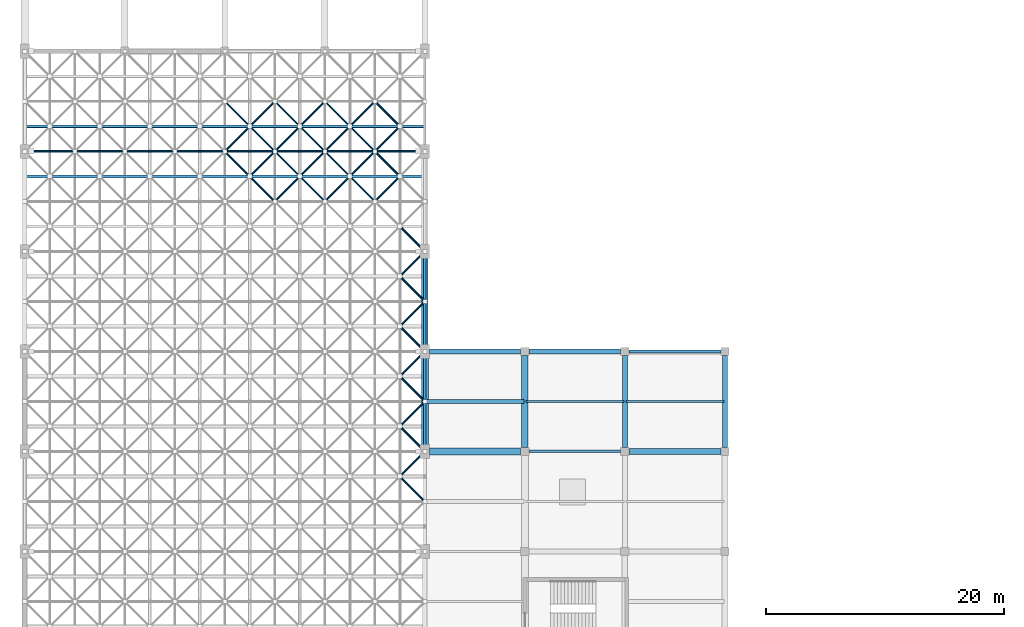
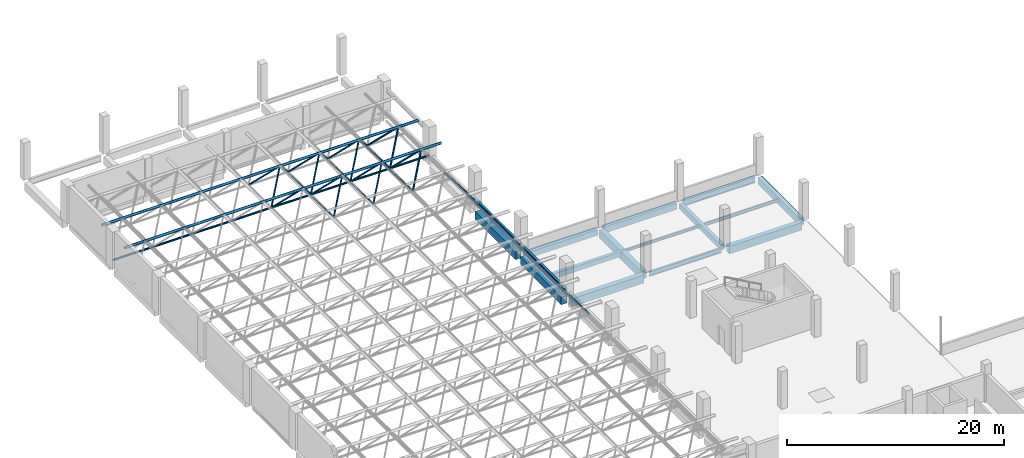
# One storey, part 30 of 64: 41 members, 16 beams.
"""IFC4 building model written with IfcOpenShell, lengths in metres."""

from ifc_helpers import new_model, si_unit, derived_unit, direction, frame, origin, origin_2d, place, context, subcontext, project, spatial, rectangle, hollow_circle, i_section, extrude, material, material_profile, profile_set, type_object, element, save


model = new_model("IFC4")

# Units and contexts
model_context = context("Model", 3, precision=1e-05, world=origin(), true_north=direction((0.0, 1.0)))
body_context = subcontext(model_context, "Body", "Model", "MODEL_VIEW")
ifc_project = project(units=[si_unit("LENGTHUNIT", "METRE"), si_unit("AREAUNIT", "SQUARE_METRE"), si_unit("VOLUMEUNIT", "CUBIC_METRE"), si_unit("PLANEANGLEUNIT", "RADIAN"), si_unit("MASSUNIT", "GRAM", prefix="KILO"), derived_unit("THERMALTRANSMITTANCEUNIT", [(si_unit("POWERUNIT", "WATT"), 1), (si_unit("LENGTHUNIT", "METRE"), -2), (si_unit("THERMODYNAMICTEMPERATUREUNIT", "KELVIN"), -1)])], contexts=[model_context])

# Site, building, storey
site_placement = place(None, origin())
site = spatial("IfcSite", under=ifc_project, at=site_placement, CompositionType="ELEMENT")
building_placement = place(site_placement, origin())
building = spatial("IfcBuilding", under=site, at=building_placement, Name="Barrovel Congress Hotel", CompositionType="ELEMENT")
storey_placement = place(building_placement, frame((0.0, 0.0, 14.10009765625)))
storey = spatial("IfcBuildingStorey", under=building, at=storey_placement, Name="L03", CompositionType="ELEMENT", Elevation=14.10009765625)

# Beams
ifc_material_1 = material(Name="Concrete C40", Category="concrete")
ifc_material_profile_1 = material_profile(ifc_material_1, rectangle(XDim=0.35009765625, YDim=0.550048828125, at=origin_2d()), Name="RC350x550")
ifc_profile_set_1 = profile_set([ifc_material_profile_1], Name="Concrete C40")
beam_type_1 = type_object("IfcBeamType", Name="BM-RC350x550", PredefinedType="JOIST", material=ifc_profile_set_1)
beam_1_placement = place(storey_placement, frame((33.679931640625, 75.60009765625, -0.51513671875), z_axis=(1.0, 0.0, 0.0), x_axis=(0.0, 1.0, 0.0)))
element("IfcBeam", 1, at=beam_1_placement, inside=storey, type_object=beam_type_1, Name="JST:L03:33.6:75.6", PredefinedType="JOIST", context=body_context, shape_type="SweptSolid", body=[
    extrude(rectangle(XDim=0.35009765625, YDim=0.550048828125, at=origin_2d()), origin(), (0.0, 0.0, 1.0), 8.239990234375),
])
ifc_material_profile_2 = material_profile(ifc_material_1, rectangle(XDim=0.39990234375, YDim=0.60009765625, at=origin_2d()), Name="RC400x600")
ifc_profile_set_2 = profile_set([ifc_material_profile_2], Name="Concrete C40")
beam_type_2 = type_object("IfcBeamType", Name="BM-RC400x600", PredefinedType="BEAM", material=ifc_profile_set_2)
beam_2_placement = place(storey_placement, frame((50.39990234375, 71.75, -0.5400390625), z_axis=(0.0, 1.0, 0.0), x_axis=(-1.0, 0.0, 0.0)))
element("IfcBeam", 2, at=beam_2_placement, inside=storey, type_object=beam_type_2, Name="BMY:L03:50.4:71.4-79.8", PredefinedType="BEAM", context=body_context, shape_type="SweptSolid", body=[
    extrude(rectangle(XDim=0.39990234375, YDim=0.60009765625, at=origin_2d()), origin(), (0.0, 0.0, 1.0), 7.699951171875),
])
ifc_material_profile_3 = material_profile(ifc_material_1, rectangle(XDim=0.39990234375, YDim=0.699951171875, at=origin_2d()), Name="RC400x700")
ifc_profile_set_3 = profile_set([ifc_material_profile_3], Name="Concrete C40")
beam_type_3 = type_object("IfcBeamType", Name="BM-RC400x700", PredefinedType="BEAM", material=ifc_profile_set_3)
beam_3_placement = place(storey_placement, frame((42.35009765625, 79.800048828125, -0.590087890625), z_axis=(1.0, 0.0, 0.0), x_axis=(0.0, 1.0, 0.0)))
element("IfcBeam", 3, at=beam_3_placement, inside=storey, type_object=beam_type_3, Name="BMX:L03:79.8:42.0-50.4", PredefinedType="BEAM", context=body_context, shape_type="SweptSolid", body=[
    extrude(rectangle(XDim=0.39990234375, YDim=0.699951171875, at=origin_2d()), origin(), (0.0, 0.0, 1.0), 7.699951171875),
])
ifc_material_profile_4 = material_profile(ifc_material_1, rectangle(XDim=0.449951171875, YDim=0.64990234375, at=origin_2d()), Name="RC450x650")
ifc_profile_set_4 = profile_set([ifc_material_profile_4], Name="Concrete C40")
beam_type_4 = type_object("IfcBeamType", Name="BM-RC450x650", PredefinedType="BEAM", material=ifc_profile_set_4)
beam_4_placement = place(storey_placement, frame((34.0, 79.800048828125, -0.565185546875), z_axis=(1.0, 0.0, 0.0), x_axis=(0.0, 1.0, 0.0)))
element("IfcBeam", 4, at=beam_4_placement, inside=storey, type_object=beam_type_4, Name="BMX:L03:79.8:33.6-42.0", PredefinedType="BEAM", context=body_context, shape_type="SweptSolid", body=[
    extrude(rectangle(XDim=0.449951171875, YDim=0.64990234375, at=origin_2d()), origin(), (0.0, 0.0, 1.0), 7.64990234375),
])
ifc_material_profile_5 = material_profile(ifc_material_1, rectangle(XDim=0.449951171875, YDim=0.75, at=origin_2d()), Name="RC450x750")
ifc_profile_set_5 = profile_set([ifc_material_profile_5], Name="Concrete C40")
beam_type_5 = type_object("IfcBeamType", Name="BM-RC450x750", PredefinedType="BEAM", material=ifc_profile_set_5)
beam_5_placement = place(storey_placement, frame((58.800048828125, 71.75, -0.614990234375), z_axis=(0.0, 1.0, 0.0), x_axis=(-1.0, 0.0, 0.0)))
element("IfcBeam", 5, at=beam_5_placement, inside=storey, type_object=beam_type_5, Name="BMY:L03:58.8:71.4-79.8", PredefinedType="BEAM", context=body_context, shape_type="SweptSolid", body=[
    extrude(rectangle(XDim=0.449951171875, YDim=0.75, at=origin_2d()), origin(), (0.0, 0.0, 1.0), 7.699951171875),
])
ifc_material_profile_6 = material_profile(ifc_material_1, rectangle(XDim=0.5, YDim=0.85009765625, at=origin_2d()), Name="RC500x850")
ifc_profile_set_6 = profile_set([ifc_material_profile_6], Name="Concrete C40")
beam_type_6 = type_object("IfcBeamType", Name="BM-RC500x850", PredefinedType="BEAM", material=ifc_profile_set_6)
beam_6_placement = place(storey_placement, frame((50.75, 71.39990234375, -0.6650390625), z_axis=(1.0, 0.0, 0.0), x_axis=(0.0, 1.0, 0.0)))
element("IfcBeam", 6, at=beam_6_placement, inside=storey, type_object=beam_type_6, Name="BMX:L03:71.4:50.4-58.8", PredefinedType="BEAM", context=body_context, shape_type="SweptSolid", body=[
    extrude(rectangle(XDim=0.5, YDim=0.85009765625, at=origin_2d()), origin(), (0.0, 0.0, 1.0), 7.699951171875),
])
ifc_material_profile_7 = material_profile(ifc_material_1, rectangle(XDim=0.550048828125, YDim=0.89990234375, at=origin_2d()), Name="RC550x900")
ifc_profile_set_7 = profile_set([ifc_material_profile_7], Name="Concrete C40")
beam_type_7 = type_object("IfcBeamType", Name="BM-RC550x900", PredefinedType="BEAM", material=ifc_profile_set_7)
beam_7_placement = place(storey_placement, frame((34.0, 71.39990234375, -0.690185546875), z_axis=(1.0, 0.0, 0.0), x_axis=(0.0, 1.0, 0.0)))
element("IfcBeam", 7, at=beam_7_placement, inside=storey, type_object=beam_type_7, Name="BMX:L03:71.4:33.6-42.0", PredefinedType="BEAM", context=body_context, shape_type="SweptSolid", body=[
    extrude(rectangle(XDim=0.550048828125, YDim=0.89990234375, at=origin_2d()), origin(), (0.0, 0.0, 1.0), 7.64990234375),
])
beam_8_placement = place(storey_placement, frame((33.60009765625, 80.25, -0.690185546875), z_axis=(0.0, 1.0, 0.0), x_axis=(-1.0, 0.0, 0.0)))
element("IfcBeam", 8, at=beam_8_placement, inside=storey, type_object=beam_type_7, Name="BMY:L03:33.6:79.8-88.2", PredefinedType="BEAM", context=body_context, shape_type="SweptSolid", body=[
    extrude(rectangle(XDim=0.550048828125, YDim=0.89990234375, at=origin_2d()), origin(), (0.0, 0.0, 1.0), 7.5),
])
beam_9_placement = place(storey_placement, frame((42.0, 71.75, -0.690185546875), z_axis=(0.0, 1.0, 0.0), x_axis=(-1.0, 0.0, 0.0)))
element("IfcBeam", 9, at=beam_9_placement, inside=storey, type_object=beam_type_7, Name="BMY:L03:42.0:71.4-79.8", PredefinedType="BEAM", context=body_context, shape_type="SweptSolid", body=[
    extrude(rectangle(XDim=0.550048828125, YDim=0.89990234375, at=origin_2d()), origin(), (0.0, 0.0, 1.0), 7.699951171875),
])
ifc_material_profile_8 = material_profile(ifc_material_1, rectangle(XDim=0.60009765625, YDim=0.85009765625, at=origin_2d()), Name="RC600x850")
ifc_profile_set_8 = profile_set([ifc_material_profile_8], Name="Concrete C40")
beam_type_8 = type_object("IfcBeamType", Name="BM-RC600x850", PredefinedType="BEAM", material=ifc_profile_set_8)
beam_10_placement = place(storey_placement, frame((33.60009765625, 71.85009765625, -0.6650390625), z_axis=(0.0, 1.0, 0.0), x_axis=(-1.0, 0.0, 0.0)))
element("IfcBeam", 10, at=beam_10_placement, inside=storey, type_object=beam_type_8, Name="BMY:L03:33.6:71.4-79.8", PredefinedType="BEAM", context=body_context, shape_type="SweptSolid", body=[
    extrude(rectangle(XDim=0.60009765625, YDim=0.85009765625, at=origin_2d()), origin(), (0.0, 0.0, 1.0), 7.5),
])

# Members
ifc_material_2 = material(Name="Steel ASTM A500 Grade C", Category="steel")
ifc_material_profile_9 = material_profile(ifc_material_2, hollow_circle(Radius=0.084228515625, WallThickness=0.006591796875, at=origin_2d()), Name="CHS168.3x7.1")
ifc_profile_set_9 = profile_set([ifc_material_profile_9], Name="Steel ASTM A500 Grade C")
member_type_1 = type_object("IfcMemberType", Name="MEM-CHS168.3x7.1", PredefinedType="BRACE", material=ifc_profile_set_9)
member_1_placement = place(storey_placement, frame((21.0, 92.39990234375, 0.599853515625), z_axis=(-0.527601167383, 0.527601167383, 0.665788266908), x_axis=(-0.707106781187, -0.707106781187, 0.0)))
element("IfcMember", 11, at=member_1_placement, inside=storey, type_object=member_type_1, Name="Space Frame Roof Truss Diagonal 4-13-2", PredefinedType="BRACE", context=body_context, shape_type="SweptSolid", body=[
    extrude(hollow_circle(Radius=0.084228515625, WallThickness=0.006591796875, at=origin_2d()), origin(), (0.0, 0.0, 1.0), 3.98046875),
])
member_2_placement = place(storey_placement, frame((16.800048828125, 96.60009765625, 0.599853515625), z_axis=(0.527556903839, -0.527618240532, 0.665809811786), x_axis=(0.707147883682, 0.707065676302, 0.0)))
element("IfcMember", 12, at=member_2_placement, inside=storey, type_object=member_type_1, Name="Space Frame Roof Truss Diagonal 4-13-3", PredefinedType="BRACE", context=body_context, shape_type="SweptSolid", body=[
    extrude(hollow_circle(Radius=0.084228515625, WallThickness=0.006591796875, at=origin_2d()), origin(), (0.0, 0.0, 1.0), 3.980224609375),
])
member_3_placement = place(storey_placement, frame((21.0, 96.60009765625, 0.599853515625), z_axis=(-0.527601167383, -0.527601167383, 0.665788266908), x_axis=(0.707106781187, -0.707106781187, 0.0)))
element("IfcMember", 13, at=member_3_placement, inside=storey, type_object=member_type_1, Name="Space Frame Roof Truss Diagonal 4-13-4", PredefinedType="BRACE", context=body_context, shape_type="SweptSolid", body=[
    extrude(hollow_circle(Radius=0.084228515625, WallThickness=0.006591796875, at=origin_2d()), origin(), (0.0, 0.0, 1.0), 3.98046875),
])
for number, where, z_axis, x_axis, name in (
    (14, (21.0, 96.60009765625, 0.599853515625), (0.527618240532, 0.527556903839, 0.665809811786), (-0.707065676302, 0.707147883682, 0.0), "Space Frame Roof Truss Diagonal 5-14-1"),
    (15, (25.199951171875, 96.60009765625, 0.599853515625), (-0.527573976661, 0.527573976661, 0.665831358755), (-0.707106781187, -0.707106781187, 0.0), "Space Frame Roof Truss Diagonal 5-14-2"),
):
    element("IfcMember", number, at=place(storey_placement, frame(where, z_axis=z_axis, x_axis=x_axis)), inside=storey, type_object=member_type_1, Name=name, PredefinedType="BRACE", context=body_context, shape_type="SweptSolid", body=[
        extrude(hollow_circle(Radius=0.084228515625, WallThickness=0.006591796875, at=origin_2d()), origin(), (0.0, 0.0, 1.0), 3.980224609375),
    ])
member_4_placement = place(storey_placement, frame((21.0, 100.800048828125, 0.599853515625), z_axis=(0.527601167383, -0.527601167383, 0.665788266908), x_axis=(0.707106781187, 0.707106781187, 0.0)))
element("IfcMember", 16, at=member_4_placement, inside=storey, type_object=member_type_1, Name="Space Frame Roof Truss Diagonal 5-14-3", PredefinedType="BRACE", context=body_context, shape_type="SweptSolid", body=[
    extrude(hollow_circle(Radius=0.084228515625, WallThickness=0.006591796875, at=origin_2d()), origin(), (0.0, 0.0, 1.0), 3.98046875),
])
member_5_placement = place(storey_placement, frame((25.199951171875, 100.800048828125, 0.599853515625), z_axis=(-0.527556903839, -0.527618240532, 0.665809811786), x_axis=(0.707147883682, -0.707065676302, 0.0)))
element("IfcMember", 17, at=member_5_placement, inside=storey, type_object=member_type_1, Name="Space Frame Roof Truss Diagonal 5-14-4", PredefinedType="BRACE", context=body_context, shape_type="SweptSolid", body=[
    extrude(hollow_circle(Radius=0.084228515625, WallThickness=0.006591796875, at=origin_2d()), origin(), (0.0, 0.0, 1.0), 3.980224609375),
])
member_6_placement = place(storey_placement, frame((25.199951171875, 92.39990234375, 0.599853515625), z_axis=(0.527601167383, 0.527601167383, 0.665788266908), x_axis=(-0.707106781187, 0.707106781187, 0.0)))
element("IfcMember", 18, at=member_6_placement, inside=storey, type_object=member_type_1, Name="Space Frame Roof Truss Diagonal 6-13-1", PredefinedType="BRACE", context=body_context, shape_type="SweptSolid", body=[
    extrude(hollow_circle(Radius=0.084228515625, WallThickness=0.006591796875, at=origin_2d()), origin(), (0.0, 0.0, 1.0), 3.98046875),
])
member_7_placement = place(storey_placement, frame((29.39990234375, 92.39990234375, 0.599853515625), z_axis=(-0.527556903839, 0.527618240532, 0.665809811786), x_axis=(-0.707147883682, -0.707065676302, 0.0)))
element("IfcMember", 19, at=member_7_placement, inside=storey, type_object=member_type_1, Name="Space Frame Roof Truss Diagonal 6-13-2", PredefinedType="BRACE", context=body_context, shape_type="SweptSolid", body=[
    extrude(hollow_circle(Radius=0.084228515625, WallThickness=0.006591796875, at=origin_2d()), origin(), (0.0, 0.0, 1.0), 3.980224609375),
])
member_8_placement = place(storey_placement, frame((25.199951171875, 96.60009765625, 0.599853515625), z_axis=(0.527601167383, -0.527601167383, 0.665788266908), x_axis=(0.707106781187, 0.707106781187, 0.0)))
element("IfcMember", 20, at=member_8_placement, inside=storey, type_object=member_type_1, Name="Space Frame Roof Truss Diagonal 6-13-3", PredefinedType="BRACE", context=body_context, shape_type="SweptSolid", body=[
    extrude(hollow_circle(Radius=0.084228515625, WallThickness=0.006591796875, at=origin_2d()), origin(), (0.0, 0.0, 1.0), 3.98046875),
])
member_9_placement = place(storey_placement, frame((29.39990234375, 96.60009765625, 0.599853515625), z_axis=(-0.527556903839, -0.527618240532, 0.665809811786), x_axis=(0.707147883682, -0.707065676302, 0.0)))
element("IfcMember", 21, at=member_9_placement, inside=storey, type_object=member_type_1, Name="Space Frame Roof Truss Diagonal 6-13-4", PredefinedType="BRACE", context=body_context, shape_type="SweptSolid", body=[
    extrude(hollow_circle(Radius=0.084228515625, WallThickness=0.006591796875, at=origin_2d()), origin(), (0.0, 0.0, 1.0), 3.980224609375),
])
ifc_material_profile_10 = material_profile(ifc_material_2, hollow_circle(Radius=0.084228515625, WallThickness=0.0087890625, at=origin_2d()), Name="CHS168.3x9.5")
ifc_profile_set_10 = profile_set([ifc_material_profile_10], Name="Steel ASTM A500 Grade C")
member_type_2 = type_object("IfcMemberType", Name="MEM-CHS168.3x9.5", PredefinedType="BRACE", material=ifc_profile_set_10)
for number, where, z_axis, x_axis, name in (
    (22, (16.800048828125, 96.60009765625, 0.599853515625), (0.527573976661, 0.527573976661, 0.665831358755), (-0.707106781187, 0.707106781187, 0.0), "Space Frame Roof Truss Diagonal 4-14-1"),
    (23, (21.0, 96.60009765625, 0.599853515625), (-0.527618240532, 0.527556903839, 0.665809811786), (-0.707065676302, -0.707147883682, 0.0), "Space Frame Roof Truss Diagonal 4-14-2"),
    (24, (16.800048828125, 100.800048828125, 0.599853515625), (0.527556903839, -0.527618240532, 0.665809811786), (0.707147883682, 0.707065676302, 0.0), "Space Frame Roof Truss Diagonal 4-14-3"),
):
    element("IfcMember", number, at=place(storey_placement, frame(where, z_axis=z_axis, x_axis=x_axis)), inside=storey, type_object=member_type_2, Name=name, PredefinedType="BRACE", context=body_context, shape_type="SweptSolid", body=[
        extrude(hollow_circle(Radius=0.084228515625, WallThickness=0.0087890625, at=origin_2d()), origin(), (0.0, 0.0, 1.0), 3.980224609375),
    ])
for number, where, z_axis, x_axis, name in (
    (25, (21.0, 100.800048828125, 0.599853515625), (-0.527601167383, -0.527601167383, 0.665788266908), (0.707106781187, -0.707106781187, 0.0), "Space Frame Roof Truss Diagonal 4-14-4"),
    (26, (21.0, 92.39990234375, 0.599853515625), (0.527601167383, 0.527601167383, 0.665788266908), (-0.707106781187, 0.707106781187, 0.0), "Space Frame Roof Truss Diagonal 5-13-1"),
):
    element("IfcMember", number, at=place(storey_placement, frame(where, z_axis=z_axis, x_axis=x_axis)), inside=storey, type_object=member_type_2, Name=name, PredefinedType="BRACE", context=body_context, shape_type="SweptSolid", body=[
        extrude(hollow_circle(Radius=0.084228515625, WallThickness=0.0087890625, at=origin_2d()), origin(), (0.0, 0.0, 1.0), 3.98046875),
    ])
member_10_placement = place(storey_placement, frame((25.199951171875, 92.39990234375, 0.599853515625), z_axis=(-0.527556903839, 0.527618240532, 0.665809811786), x_axis=(-0.707147883682, -0.707065676302, 0.0)))
element("IfcMember", 27, at=member_10_placement, inside=storey, type_object=member_type_2, Name="Space Frame Roof Truss Diagonal 5-13-2", PredefinedType="BRACE", context=body_context, shape_type="SweptSolid", body=[
    extrude(hollow_circle(Radius=0.084228515625, WallThickness=0.0087890625, at=origin_2d()), origin(), (0.0, 0.0, 1.0), 3.980224609375),
])
member_11_placement = place(storey_placement, frame((21.0, 96.60009765625, 0.599853515625), z_axis=(0.527601167383, -0.527601167383, 0.665788266908), x_axis=(0.707106781187, 0.707106781187, 0.0)))
element("IfcMember", 28, at=member_11_placement, inside=storey, type_object=member_type_2, Name="Space Frame Roof Truss Diagonal 5-13-3", PredefinedType="BRACE", context=body_context, shape_type="SweptSolid", body=[
    extrude(hollow_circle(Radius=0.084228515625, WallThickness=0.0087890625, at=origin_2d()), origin(), (0.0, 0.0, 1.0), 3.98046875),
])
for number, where, z_axis, x_axis, name in (
    (29, (25.199951171875, 96.60009765625, 0.599853515625), (-0.527556903839, -0.527618240532, 0.665809811786), (0.707147883682, -0.707065676302, 0.0), "Space Frame Roof Truss Diagonal 5-13-4"),
    (30, (25.199951171875, 96.60009765625, 0.599853515625), (0.527618240532, 0.527556903839, 0.665809811786), (-0.707065676302, 0.707147883682, 0.0), "Space Frame Roof Truss Diagonal 6-14-1"),
    (31, (29.39990234375, 96.60009765625, 0.599853515625), (-0.527573976661, 0.527573976661, 0.665831358755), (-0.707106781187, -0.707106781187, 0.0), "Space Frame Roof Truss Diagonal 6-14-2"),
):
    element("IfcMember", number, at=place(storey_placement, frame(where, z_axis=z_axis, x_axis=x_axis)), inside=storey, type_object=member_type_2, Name=name, PredefinedType="BRACE", context=body_context, shape_type="SweptSolid", body=[
        extrude(hollow_circle(Radius=0.084228515625, WallThickness=0.0087890625, at=origin_2d()), origin(), (0.0, 0.0, 1.0), 3.980224609375),
    ])
member_12_placement = place(storey_placement, frame((25.199951171875, 100.800048828125, 0.599853515625), z_axis=(0.527601167383, -0.527601167383, 0.665788266908), x_axis=(0.707106781187, 0.707106781187, 0.0)))
element("IfcMember", 32, at=member_12_placement, inside=storey, type_object=member_type_2, Name="Space Frame Roof Truss Diagonal 6-14-3", PredefinedType="BRACE", context=body_context, shape_type="SweptSolid", body=[
    extrude(hollow_circle(Radius=0.084228515625, WallThickness=0.0087890625, at=origin_2d()), origin(), (0.0, 0.0, 1.0), 3.98046875),
])
member_13_placement = place(storey_placement, frame((29.39990234375, 100.800048828125, 0.599853515625), z_axis=(-0.527556903839, -0.527618240532, 0.665809811786), x_axis=(0.707147883682, -0.707065676302, 0.0)))
element("IfcMember", 33, at=member_13_placement, inside=storey, type_object=member_type_2, Name="Space Frame Roof Truss Diagonal 6-14-4", PredefinedType="BRACE", context=body_context, shape_type="SweptSolid", body=[
    extrude(hollow_circle(Radius=0.084228515625, WallThickness=0.0087890625, at=origin_2d()), origin(), (0.0, 0.0, 1.0), 3.980224609375),
])
ifc_material_profile_11 = material_profile(ifc_material_2, hollow_circle(Radius=0.096923828125, WallThickness=0.0087890625, at=origin_2d()), Name="CHS193.7x9.5")
ifc_profile_set_11 = profile_set([ifc_material_profile_11], Name="Steel ASTM A500 Grade C")
member_type_3 = type_object("IfcMemberType", Name="MEM-CHS193.7x9.5", PredefinedType="BRACE", material=ifc_profile_set_11)
member_14_placement = place(storey_placement, frame((33.60009765625, 67.199951171875, 0.599853515625), z_axis=(-0.527601167383, 0.527601167383, 0.665788266908), x_axis=(-0.707106781187, -0.707106781187, 0.0)))
element("IfcMember", 34, at=member_14_placement, inside=storey, type_object=member_type_3, Name="Space Frame Roof Truss Diagonal 7-7-2", PredefinedType="BRACE", context=body_context, shape_type="SweptSolid", body=[
    extrude(hollow_circle(Radius=0.096923828125, WallThickness=0.0087890625, at=origin_2d()), origin(), (0.0, 0.0, 1.0), 3.98046875),
])
member_15_placement = place(storey_placement, frame((33.60009765625, 71.39990234375, 0.599853515625), z_axis=(-0.527618240532, -0.527556903839, 0.665809811786), x_axis=(0.707065676302, -0.707147883682, 0.0)))
element("IfcMember", 35, at=member_15_placement, inside=storey, type_object=member_type_3, Name="Space Frame Roof Truss Diagonal 7-7-4", PredefinedType="BRACE", context=body_context, shape_type="SweptSolid", body=[
    extrude(hollow_circle(Radius=0.096923828125, WallThickness=0.0087890625, at=origin_2d()), origin(), (0.0, 0.0, 1.0), 3.980224609375),
])
for number, where, z_axis, x_axis, name in (
    (36, (33.60009765625, 71.39990234375, 0.599853515625), (-0.527601167383, 0.527601167383, 0.665788266908), (-0.707106781187, -0.707106781187, 0.0), "Space Frame Roof Truss Diagonal 7-8-2"),
    (37, (33.60009765625, 75.60009765625, 0.599853515625), (-0.527601167383, -0.527601167383, 0.665788266908), (0.707106781187, -0.707106781187, 0.0), "Space Frame Roof Truss Diagonal 7-8-4"),
):
    element("IfcMember", number, at=place(storey_placement, frame(where, z_axis=z_axis, x_axis=x_axis)), inside=storey, type_object=member_type_3, Name=name, PredefinedType="BRACE", context=body_context, shape_type="SweptSolid", body=[
        extrude(hollow_circle(Radius=0.096923828125, WallThickness=0.0087890625, at=origin_2d()), origin(), (0.0, 0.0, 1.0), 3.98046875),
    ])
member_16_placement = place(storey_placement, frame((33.60009765625, 75.60009765625, 0.599853515625), z_axis=(-0.527618240532, 0.527556903839, 0.665809811786), x_axis=(-0.707065676302, -0.707147883682, 0.0)))
element("IfcMember", 38, at=member_16_placement, inside=storey, type_object=member_type_3, Name="Space Frame Roof Truss Diagonal 7-9-2", PredefinedType="BRACE", context=body_context, shape_type="SweptSolid", body=[
    extrude(hollow_circle(Radius=0.096923828125, WallThickness=0.0087890625, at=origin_2d()), origin(), (0.0, 0.0, 1.0), 3.980224609375),
])
member_17_placement = place(storey_placement, frame((33.60009765625, 79.800048828125, 0.599853515625), z_axis=(-0.527601167383, -0.527601167383, 0.665788266908), x_axis=(0.707106781187, -0.707106781187, 0.0)))
element("IfcMember", 39, at=member_17_placement, inside=storey, type_object=member_type_3, Name="Space Frame Roof Truss Diagonal 7-9-4", PredefinedType="BRACE", context=body_context, shape_type="SweptSolid", body=[
    extrude(hollow_circle(Radius=0.096923828125, WallThickness=0.0087890625, at=origin_2d()), origin(), (0.0, 0.0, 1.0), 3.98046875),
])
member_18_placement = place(storey_placement, frame((33.60009765625, 79.800048828125, 0.599853515625), z_axis=(-0.527618240532, 0.527556903839, 0.665809811786), x_axis=(-0.707065676302, -0.707147883682, 0.0)))
element("IfcMember", 40, at=member_18_placement, inside=storey, type_object=member_type_3, Name="Space Frame Roof Truss Diagonal 7-10-2", PredefinedType="BRACE", context=body_context, shape_type="SweptSolid", body=[
    extrude(hollow_circle(Radius=0.096923828125, WallThickness=0.0087890625, at=origin_2d()), origin(), (0.0, 0.0, 1.0), 3.980224609375),
])
for number, where, z_axis, x_axis, name in (
    (41, (33.60009765625, 84.0, 0.599853515625), (-0.527601167383, -0.527601167383, 0.665788266908), (0.707106781187, -0.707106781187, 0.0), "Space Frame Roof Truss Diagonal 7-10-4"),
    (42, (33.60009765625, 84.0, 0.599853515625), (-0.527601167383, 0.527601167383, 0.665788266908), (-0.707106781187, -0.707106781187, 0.0), "Space Frame Roof Truss Diagonal 7-11-2"),
):
    element("IfcMember", number, at=place(storey_placement, frame(where, z_axis=z_axis, x_axis=x_axis)), inside=storey, type_object=member_type_3, Name=name, PredefinedType="BRACE", context=body_context, shape_type="SweptSolid", body=[
        extrude(hollow_circle(Radius=0.096923828125, WallThickness=0.0087890625, at=origin_2d()), origin(), (0.0, 0.0, 1.0), 3.98046875),
    ])
member_19_placement = place(storey_placement, frame((33.60009765625, 88.199951171875, 0.599853515625), z_axis=(-0.527618240532, -0.527556903839, 0.665809811786), x_axis=(0.707065676302, -0.707147883682, 0.0)))
element("IfcMember", 43, at=member_19_placement, inside=storey, type_object=member_type_3, Name="Space Frame Roof Truss Diagonal 7-11-4", PredefinedType="BRACE", context=body_context, shape_type="SweptSolid", body=[
    extrude(hollow_circle(Radius=0.096923828125, WallThickness=0.0087890625, at=origin_2d()), origin(), (0.0, 0.0, 1.0), 3.980224609375),
])
for number, where, z_axis, x_axis, name in (
    (44, (33.60009765625, 88.199951171875, 0.599853515625), (-0.527601167383, 0.527601167383, 0.665788266908), (-0.707106781187, -0.707106781187, 0.0), "Space Frame Roof Truss Diagonal 7-12-2"),
    (45, (29.39990234375, 92.39990234375, 0.599853515625), (0.527601167383, 0.527601167383, 0.665788266908), (-0.707106781187, 0.707106781187, 0.0), "Space Frame Roof Truss Diagonal 7-13-1"),
    (46, (29.39990234375, 96.60009765625, 0.599853515625), (0.527601167383, -0.527601167383, 0.665788266908), (0.707106781187, 0.707106781187, 0.0), "Space Frame Roof Truss Diagonal 7-13-3"),
):
    element("IfcMember", number, at=place(storey_placement, frame(where, z_axis=z_axis, x_axis=x_axis)), inside=storey, type_object=member_type_3, Name=name, PredefinedType="BRACE", context=body_context, shape_type="SweptSolid", body=[
        extrude(hollow_circle(Radius=0.096923828125, WallThickness=0.0087890625, at=origin_2d()), origin(), (0.0, 0.0, 1.0), 3.98046875),
    ])
member_20_placement = place(storey_placement, frame((29.39990234375, 96.60009765625, 0.599853515625), z_axis=(0.527618240532, 0.527556903839, 0.665809811786), x_axis=(-0.707065676302, 0.707147883682, 0.0)))
element("IfcMember", 47, at=member_20_placement, inside=storey, type_object=member_type_3, Name="Space Frame Roof Truss Diagonal 7-14-1", PredefinedType="BRACE", context=body_context, shape_type="SweptSolid", body=[
    extrude(hollow_circle(Radius=0.096923828125, WallThickness=0.0087890625, at=origin_2d()), origin(), (0.0, 0.0, 1.0), 3.980224609375),
])
member_21_placement = place(storey_placement, frame((29.39990234375, 100.800048828125, 0.599853515625), z_axis=(0.527601167383, -0.527601167383, 0.665788266908), x_axis=(0.707106781187, 0.707106781187, 0.0)))
element("IfcMember", 48, at=member_21_placement, inside=storey, type_object=member_type_3, Name="Space Frame Roof Truss Diagonal 7-14-3", PredefinedType="BRACE", context=body_context, shape_type="SweptSolid", body=[
    extrude(hollow_circle(Radius=0.096923828125, WallThickness=0.0087890625, at=origin_2d()), origin(), (0.0, 0.0, 1.0), 3.98046875),
])
ifc_material_profile_12 = material_profile(ifc_material_2, hollow_circle(Radius=0.109619140625, WallThickness=0.01171875, at=origin_2d()), Name="CHS219.1x12.7")
ifc_profile_set_12 = profile_set([ifc_material_profile_12], Name="Steel ASTM A500 Grade C")
member_type_4 = type_object("IfcMemberType", Name="MEM-CHS219.1x12.7", PredefinedType="CHORD", material=ifc_profile_set_12)
member_22_placement = place(storey_placement, frame((0.0, 96.60009765625, 0.599853515625), z_axis=(1.0, 0.0, 0.0), x_axis=(0.0, 1.0, 0.0)))
element("IfcMember", 49, at=member_22_placement, inside=storey, type_object=member_type_4, Name="Space Frame Roof Truss Bottom Chord X 14", PredefinedType="CHORD", context=body_context, shape_type="SweptSolid", body=[
    extrude(hollow_circle(Radius=0.109619140625, WallThickness=0.01171875, at=origin_2d()), origin(), (0.0, 0.0, 1.0), 33.60009765625),
])
ifc_material_profile_13 = material_profile(ifc_material_2, hollow_circle(Radius=0.136474609375, WallThickness=0.01171875, at=origin_2d()), Name="CHS273.1x12.7")
ifc_profile_set_13 = profile_set([ifc_material_profile_13], Name="Steel ASTM A500 Grade C")
member_type_5 = type_object("IfcMemberType", Name="MEM-CHS273.1x12.7", PredefinedType="CHORD", material=ifc_profile_set_13)
for number, where, z_axis, x_axis, name in (
    (50, (0.0, 94.5, 3.25), (1.0, 0.0, 0.0), (0.0, 1.0, 0.0), "Space Frame Roof Truss Top Chord X 13"),
    (51, (0.0, 98.699951171875, 3.25), (1.0, 0.0, 0.0), (0.0, 1.0, 0.0), "Space Frame Roof Truss Top Chord X 14"),
):
    element("IfcMember", number, at=place(storey_placement, frame(where, z_axis=z_axis, x_axis=x_axis)), inside=storey, type_object=member_type_5, Name=name, PredefinedType="CHORD", context=body_context, shape_type="SweptSolid", body=[
        extrude(hollow_circle(Radius=0.136474609375, WallThickness=0.01171875, at=origin_2d()), origin(), (0.0, 0.0, 1.0), 33.60009765625),
    ])

# Beams
ifc_material_3 = material(Name="Steel ASTM A992 Grade 50", Category="steel")
ifc_material_profile_14 = material_profile(ifc_material_3, i_section(OverallWidth=0.1669921875, OverallDepth=0.31689453125, WebThickness=0.007568359375, FlangeThickness=0.01318359375, FilletRadius=0.010986328125, at=origin_2d()), Name="W310x52")
ifc_profile_set_14 = profile_set([ifc_material_profile_14], Name="Steel ASTM A992 Grade 50")
beam_type_9 = type_object("IfcBeamType", Name="SBM-W310x52", PredefinedType="JOIST", material=ifc_profile_set_14)
beam_11_placement = place(storey_placement, frame((42.080078125, 75.60009765625, -0.398681640625), z_axis=(1.0, 0.0, 0.0), x_axis=(0.0, 1.0, 0.0)))
element("IfcBeam", 52, at=beam_11_placement, inside=storey, type_object=beam_type_9, Name="JST:L03:42.0:75.6", PredefinedType="JOIST", context=body_context, shape_type="SweptSolid", body=[
    extrude(i_section(OverallWidth=0.1669921875, OverallDepth=0.31689453125, WebThickness=0.007568359375, FlangeThickness=0.01318359375, FilletRadius=0.010986328125, at=origin_2d()), origin(), (0.0, 0.0, 1.0), 8.239990234375),
])
ifc_material_profile_15 = material_profile(ifc_material_3, i_section(OverallWidth=0.172119140625, OverallDepth=0.35791015625, WebThickness=0.0078125, FlangeThickness=0.01318359375, FilletRadius=0.011962890625, at=origin_2d()), Name="W360x57")
ifc_profile_set_15 = profile_set([ifc_material_profile_15], Name="Steel ASTM A992 Grade 50")
beam_type_10 = type_object("IfcBeamType", Name="SBM-W360x57", PredefinedType="JOIST", material=ifc_profile_set_15)
beam_12_placement = place(storey_placement, frame((50.47998046875, 75.60009765625, -0.419189453125), z_axis=(1.0, 0.0, 0.0), x_axis=(0.0, 1.0, 0.0)))
element("IfcBeam", 53, at=beam_12_placement, inside=storey, type_object=beam_type_10, Name="JST:L03:50.4:75.6", PredefinedType="JOIST", context=body_context, shape_type="SweptSolid", body=[
    extrude(i_section(OverallWidth=0.172119140625, OverallDepth=0.35791015625, WebThickness=0.0078125, FlangeThickness=0.01318359375, FilletRadius=0.011962890625, at=origin_2d()), origin(), (0.0, 0.0, 1.0), 8.239990234375),
])
ifc_material_profile_16 = material_profile(ifc_material_3, i_section(OverallWidth=0.208984375, OverallDepth=0.529052734375, WebThickness=0.009765625, FlangeThickness=0.013671875, FilletRadius=0.013916015625, at=origin_2d()), Name="W530x74")
ifc_profile_set_16 = profile_set([ifc_material_profile_16], Name="Steel ASTM A992 Grade 50")
beam_type_11 = type_object("IfcBeamType", Name="SBM-W530x74", PredefinedType="BEAM", material=ifc_profile_set_16)
beam_13_placement = place(storey_placement, frame((42.35009765625, 71.39990234375, -0.504638671875), z_axis=(1.0, 0.0, 0.0), x_axis=(0.0, 1.0, 0.0)))
element("IfcBeam", 54, at=beam_13_placement, inside=storey, type_object=beam_type_11, Name="BMX:L03:71.4:42.0-50.4", PredefinedType="BEAM", context=body_context, shape_type="SweptSolid", body=[
    extrude(i_section(OverallWidth=0.208984375, OverallDepth=0.529052734375, WebThickness=0.009765625, FlangeThickness=0.013671875, FilletRadius=0.013916015625, at=origin_2d()), origin(), (0.0, 0.0, 1.0), 7.699951171875),
])
ifc_material_profile_17 = material_profile(ifc_material_3, i_section(OverallWidth=0.22900390625, OverallDepth=0.612060546875, WebThickness=0.011962890625, FlangeThickness=0.01953125, FilletRadius=0.014892578125, at=origin_2d()), Name="W610x125")
ifc_profile_set_17 = profile_set([ifc_material_profile_17], Name="Steel ASTM A992 Grade 50")
beam_type_12 = type_object("IfcBeamType", Name="SBM-W610x125", PredefinedType="BEAM", material=ifc_profile_set_17)
beam_14_placement = place(storey_placement, frame((33.60009765625, 71.39990234375, 0.599853515625), z_axis=(0.0, 1.0, 0.0), x_axis=(-1.0, 0.0, 0.0)))
element("IfcBeam", 55, at=beam_14_placement, inside=storey, type_object=beam_type_12, Name="Congress Roof Truss Collector Beam 34-5", PredefinedType="BEAM", context=body_context, shape_type="SweptSolid", body=[
    extrude(i_section(OverallWidth=0.22900390625, OverallDepth=0.612060546875, WebThickness=0.011962890625, FlangeThickness=0.01953125, FilletRadius=0.014892578125, at=origin_2d()), origin(), (0.0, 0.0, 1.0), 8.400146484375),
])
beam_15_placement = place(storey_placement, frame((33.60009765625, 79.800048828125, 0.599853515625), z_axis=(0.0, 1.0, 0.0), x_axis=(-1.0, 0.0, 0.0)))
element("IfcBeam", 56, at=beam_15_placement, inside=storey, type_object=beam_type_12, Name="Congress Roof Truss Collector Beam 34-6", PredefinedType="BEAM", context=body_context, shape_type="SweptSolid", body=[
    extrude(i_section(OverallWidth=0.22900390625, OverallDepth=0.612060546875, WebThickness=0.011962890625, FlangeThickness=0.01953125, FilletRadius=0.014892578125, at=origin_2d()), origin(), (0.0, 0.0, 1.0), 8.39990234375),
])
ifc_material_profile_18 = material_profile(ifc_material_3, i_section(OverallWidth=0.25390625, OverallDepth=0.68408203125, WebThickness=0.012451171875, FlangeThickness=0.01904296875, FilletRadius=0.014892578125, at=origin_2d()), Name="W690x140")
ifc_profile_set_18 = profile_set([ifc_material_profile_18], Name="Steel ASTM A992 Grade 50")
beam_type_13 = type_object("IfcBeamType", Name="SBM-W690x140", PredefinedType="BEAM", material=ifc_profile_set_18)
beam_16_placement = place(storey_placement, frame((50.75, 79.800048828125, -0.58203125), z_axis=(1.0, 0.0, 0.0), x_axis=(0.0, 1.0, 0.0)))
element("IfcBeam", 57, at=beam_16_placement, inside=storey, type_object=beam_type_13, Name="BMX:L03:79.8:50.4-58.8", PredefinedType="BEAM", context=body_context, shape_type="SweptSolid", body=[
    extrude(i_section(OverallWidth=0.25390625, OverallDepth=0.68408203125, WebThickness=0.012451171875, FlangeThickness=0.01904296875, FilletRadius=0.014892578125, at=origin_2d()), origin(), (0.0, 0.0, 1.0), 7.699951171875),
])

save(model, "model.ifc")
